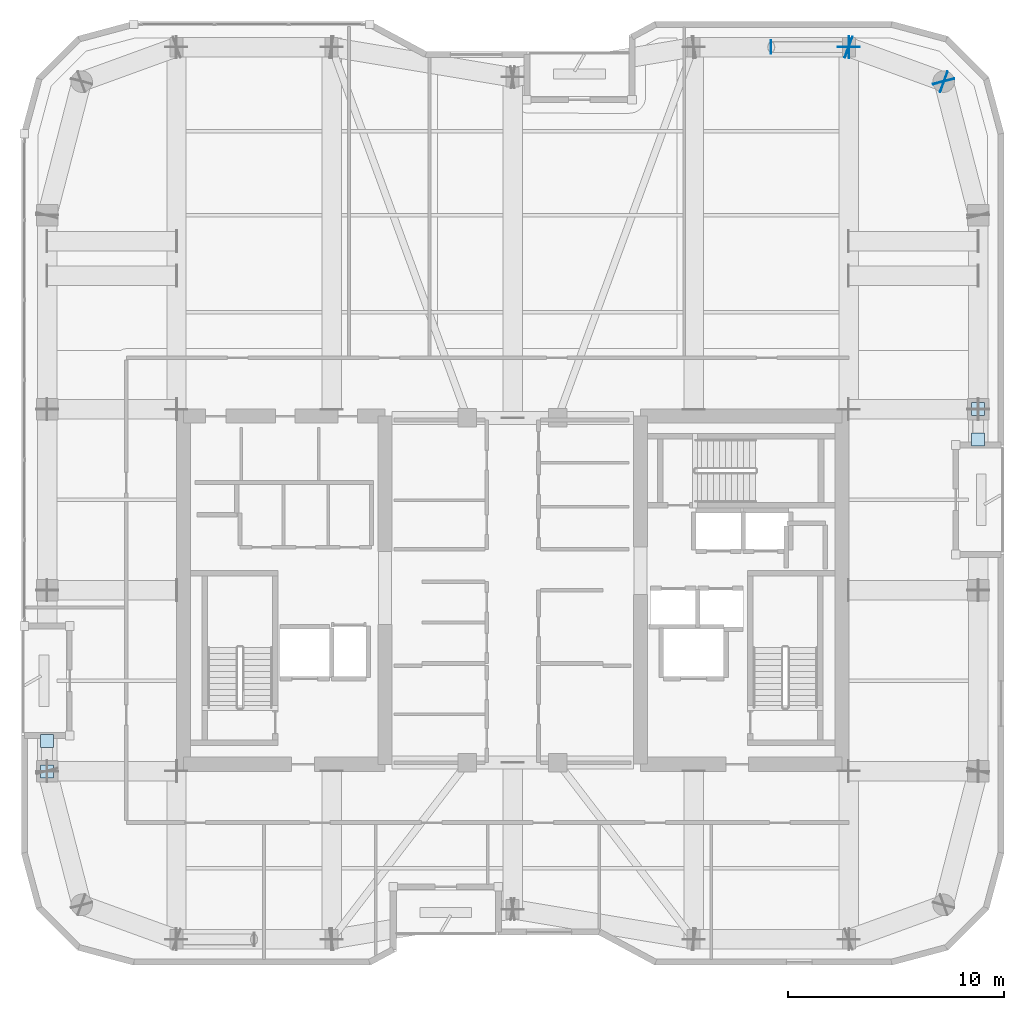
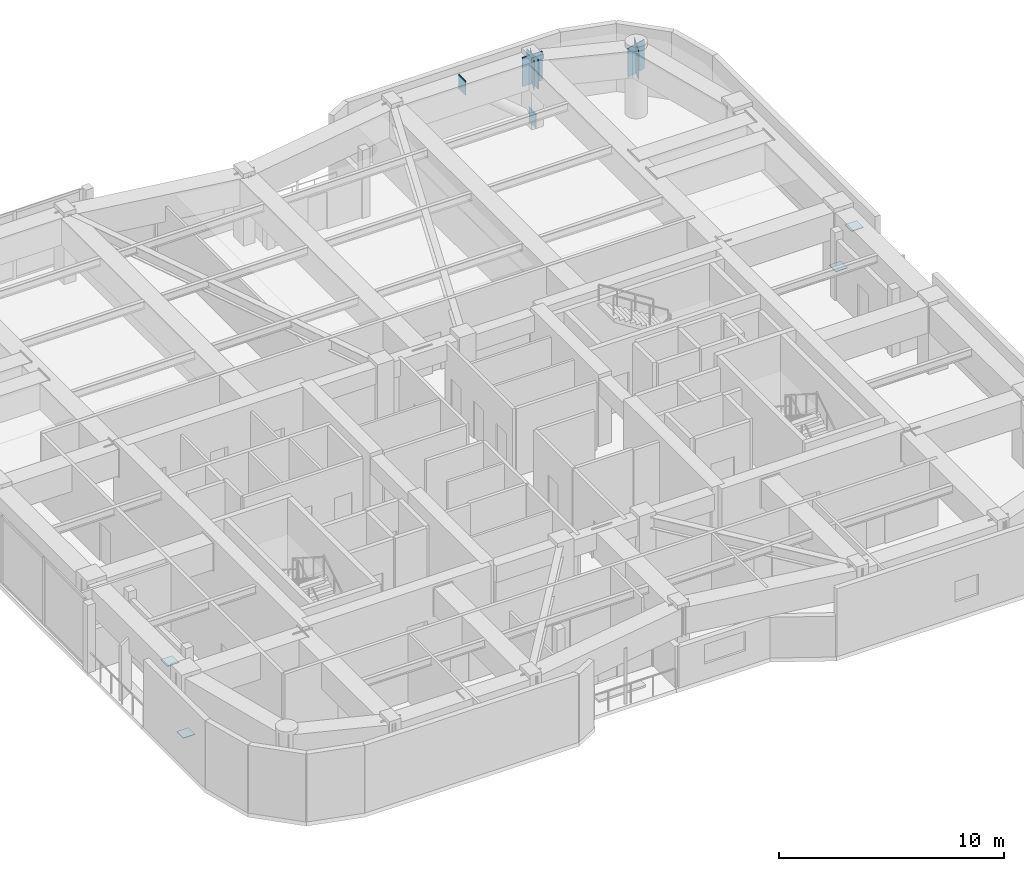
# One storey, part 14 of 21: 11 plates.
"""IFC4 building model written with IfcOpenShell, lengths in metres."""

from ifc_helpers import new_model, si_unit, direction, frame, origin, origin_2d, place, context, subcontext, project, spatial, rectangle, extrude, material, layer, layer_set, type_object, element, save


model = new_model("IFC4")

# Units and contexts
model_context = context("Model", 3, precision=1e-05, world=origin(), true_north=direction((0.0, 1.0)))
body_context = subcontext(model_context, "Body", "Model", "MODEL_VIEW")
ifc_project = project(units=[si_unit("LENGTHUNIT", "METRE"), si_unit("AREAUNIT", "SQUARE_METRE"), si_unit("VOLUMEUNIT", "CUBIC_METRE"), si_unit("PLANEANGLEUNIT", "RADIAN"), si_unit("MASSUNIT", "GRAM", prefix="KILO")], contexts=[model_context])

# Site, building, storey
site_placement = place(None, origin())
site = spatial("IfcSite", under=ifc_project, at=site_placement, CompositionType="ELEMENT")
building_placement = place(site_placement, origin())
building = spatial("IfcBuilding", under=site, at=building_placement, Name="Kiyonajd Concourse Tower", CompositionType="ELEMENT")
storey_placement = place(building_placement, frame((0.0, 0.0, 251.10009765625)))
storey = spatial("IfcBuildingStorey", under=building, at=storey_placement, Name="L63", CompositionType="ELEMENT", Elevation=251.10009765625)

# Plates
ifc_material = material(Name="Steel ASTM A572 Grade 50", Category="steel")
ifc_layer_1 = layer(ifc_material, 0.028076171875)
ifc_layer_set_1 = layer_set([ifc_layer_1], Name="Steel ASTM A572 Grade 50")
plate_type_1 = type_object("IfcPlateType", Name="PL-CAP-450", PredefinedType="USERDEFINED", material=ifc_layer_set_1)
for number, where, z_axis, x_axis, name in (
    (1, (63.6083984375, 61.199951171875, -0.109375), (0.0, 0.0, 1.0), (1.0, 0.0, 0.0), "L63 Hollow Brace End Cap Plate PBN"),
    (2, (59.99169921875, 61.199951171875, 2.93505859375), (0.0, 0.0, 1.0), (-1.0, 0.0, 0.0), "L63 Hollow Brace Top Cap Plate PBN"),
):
    element("IfcPlate", number, at=place(storey_placement, frame(where, z_axis=z_axis, x_axis=x_axis)), inside=storey, type_object=plate_type_1, Name=name, ObjectType="CAP PLATE", PredefinedType="USERDEFINED", context=body_context, shape_type="SweptSolid", body=[
        extrude(rectangle(XDim=0.035888671875, YDim=0.6279296875, at=origin_2d()), origin(), (0.0, 0.0, 1.0), 0.803955078125),
    ])
for number, where, z_axis, x_axis, name in (
    (3, (26.39990234375, 27.595458984375, 0.27587890625), (0.0, 0.0, 1.0), (1.0, 0.0, 0.0), "L63 Hollow Brace End Cap Plate PBW"),
    (4, (26.39990234375, 29.004638671875, 3.32568359375), (0.0, 0.0, 1.0), (1.0, 0.0, 0.0), "L63 Hollow Brace Top Cap Plate PBW"),
    (5, (69.60009765625, 44.404541015625, 0.27587890625), (0.0, 0.0, 1.0), (1.0, 0.0, 0.0), "L63 Hollow Brace End Cap Plate PBE"),
    (6, (69.60009765625, 42.995361328125, 3.32568359375), (0.0, 0.0, 1.0), (1.0, 0.0, 0.0), "L63 Hollow Brace Top Cap Plate PBE"),
):
    element("IfcPlate", number, at=place(storey_placement, frame(where, z_axis=z_axis, x_axis=x_axis)), inside=storey, type_object=plate_type_1, Name=name, ObjectType="CAP PLATE", PredefinedType="USERDEFINED", context=body_context, shape_type="SweptSolid", body=[
        extrude(rectangle(XDim=0.60791015625, YDim=0.60791015625, at=origin_2d()), origin(), (0.0, 0.0, 1.0), 0.028076171875),
    ])
ifc_layer_2 = layer(ifc_material, 0.031982421875)
ifc_layer_set_2 = layer_set([ifc_layer_2], Name="Steel ASTM A572 Grade 50")
plate_type_2 = type_object("IfcPlateType", Name="PL-CAP-540", PredefinedType="USERDEFINED", material=ifc_layer_set_2)
for number, where, z_axis, x_axis, name in (
    (7, (67.997314453125, 59.610595703125, 2.1396484375), (0.0, 0.0, 1.0), (-0.249873048837, 0.968278606324, 0.0), "L63 Welded Box Girder End Cap"),
    (8, (68.01025390625, 59.59619140625, 2.1396484375), (0.0, 0.0, 1.0), (0.939811951086, -0.341692107891, 0.0), "L63 Welded Box Girder End Cap"),
    (9, (63.589599609375, 61.203857421875, 2.1396484375), (0.0, 0.0, 1.0), (-0.939811951086, 0.341692107891, 0.0), "L63 Welded Box Girder End Cap"),
    (10, (63.611083984375, 61.199951171875, 2.1396484375), (0.0, 0.0, 1.0), (1.0, 0.0, 0.0), "L63 Welded Box Girder End Cap"),
    (11, (63.60009765625, 61.2109375, 2.1396484375), (0.0, 0.0, 1.0), (0.0, 1.0, 0.0), "L63 Welded Box Girder End Cap"),
):
    element("IfcPlate", number, at=place(storey_placement, frame(where, z_axis=z_axis, x_axis=x_axis)), inside=storey, type_object=plate_type_2, Name=name, ObjectType="CAP PLATE", PredefinedType="USERDEFINED", context=body_context, shape_type="SweptSolid", body=[
        extrude(rectangle(XDim=0.035888671875, YDim=1.02001953125, at=origin_2d()), origin(), (0.0, 0.0, 1.0), 1.590087890625),
    ])

save(model, "model.ifc")
